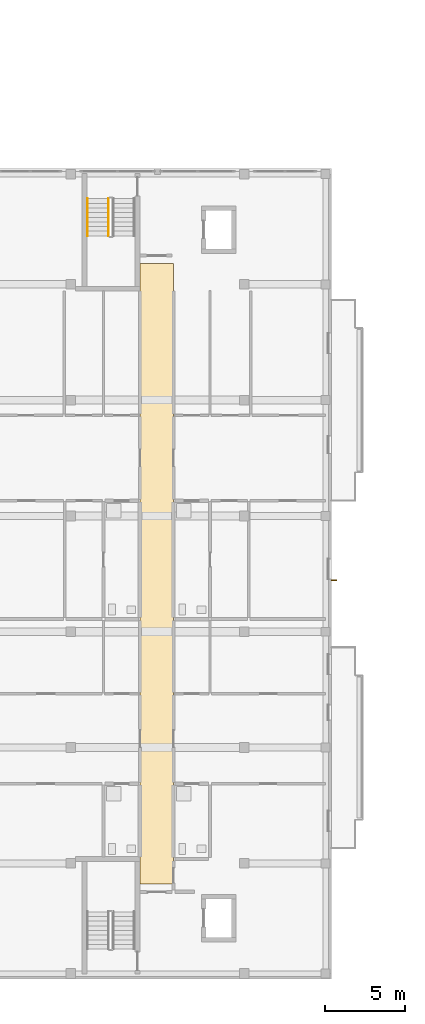
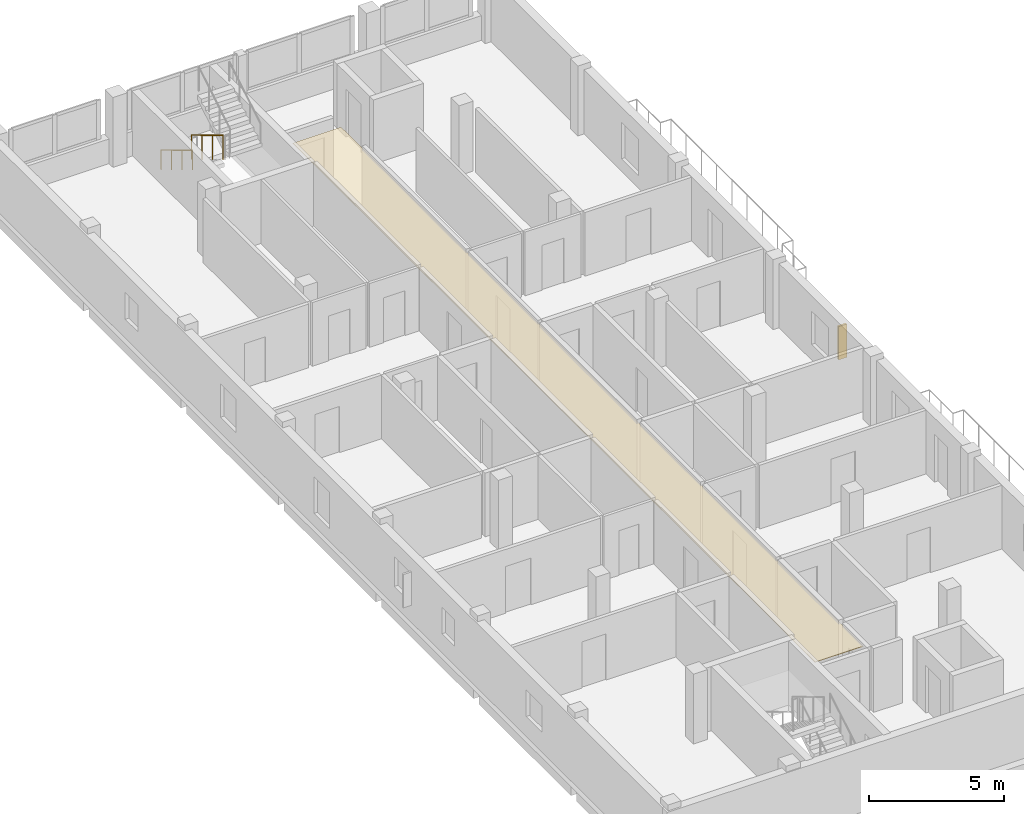
# One storey, part 30 of 41: 2 railings, 1 covering, 1 shading device.
"""IFC4 building model written with IfcOpenShell, lengths in metres."""

from ifc_helpers import new_model, si_unit, derived_unit, direction, frame, origin, origin_2d, place, context, subcontext, project, spatial, polyline, rectangle, circle, outline, extrude, material, layer, layer_set, type_object, element, save


model = new_model("IFC4")

# Units and contexts
model_context = context("Model", 3, precision=1e-05, world=origin(), true_north=direction((0.0, 1.0)))
body_context = subcontext(model_context, "Body", "Model", "MODEL_VIEW")
ifc_project = project(units=[si_unit("LENGTHUNIT", "METRE"), si_unit("AREAUNIT", "SQUARE_METRE"), si_unit("VOLUMEUNIT", "CUBIC_METRE"), si_unit("PLANEANGLEUNIT", "RADIAN"), si_unit("MASSUNIT", "GRAM", prefix="KILO"), derived_unit("THERMALTRANSMITTANCEUNIT", [(si_unit("MASSUNIT", "GRAM", prefix="KILO"), 1), (si_unit("TIMEUNIT", "SECOND"), -3), (si_unit("THERMODYNAMICTEMPERATUREUNIT", "KELVIN"), -1)])], contexts=[model_context])

# Site, building, storey
site_placement = place(None, origin())
site = spatial("IfcSite", under=ifc_project, at=site_placement, CompositionType="ELEMENT")
building_placement = place(site_placement, origin())
building = spatial("IfcBuilding", under=site, at=building_placement, Name="Ochrekiln Boulevard Commons", CompositionType="ELEMENT")
storey_placement = place(building_placement, frame((0.0, 0.0, 21.52490234375)))
storey = spatial("IfcBuildingStorey", under=building, at=storey_placement, Name="L06", CompositionType="ELEMENT", Elevation=21.52490234375)

# Covering
ifc_material_1 = material(Name="Mineral-fibre acoustic ceiling tile")
ifc_layer = layer(ifc_material_1, 0.02490234375)
ifc_layer_set = layer_set([ifc_layer], Name="Mineral-fibre acoustic ceiling tile")
covering_type = type_object("IfcCoveringType", Name="COV-CEIL-AC", PredefinedType="CEILING", material=ifc_layer_set)
covering_placement = place(storey_placement, frame((0.0, 0.0, 2.650146484375)))
element("IfcCovering", 1, at=covering_placement, inside=storey, type_object=covering_type, Name="L06 Acoustic Corridor Ceiling 54", PredefinedType="CEILING", context=body_context, shape_type="SweptSolid", body=[
    extrude(outline(polyline([(9.719970703125, 5.919921875), (11.780029296875, 5.919921875), (11.780029296875, 44.47998046875), (9.719970703125, 44.47998046875), (9.719970703125, 5.919921875)])), origin(), (0.0, 0.0, 1.0), 0.02490234375),
])

# Railings
ifc_material_2 = material(Name="Brushed stainless steel 316 tubular railing", Category="steel")
railing_type_1 = type_object("IfcRailingType", Name="RLG-HDR-900", PredefinedType="HANDRAIL", material=ifc_material_2)
railing_1_placement = place(storey_placement, frame((6.449951171875, 48.530029296875, 0.175048828125)))
element("IfcRailing", 2, at=railing_1_placement, inside=storey, type_object=railing_type_1, Name="L06 ST-D2 stair handrail 1", PredefinedType="HANDRAIL", context=body_context, shape_type="SweptSolid", body=[
    extrude(circle(Radius=0.02392578125, at=origin_2d()), frame((0.0, 0.0, 0.8759765625), z_axis=(0.0, -0.856170481923, 0.516693435108), x_axis=(1.0, 0.0, 0.0)), (0.0, 0.0, 1.0), 2.709716796875),
    extrude(circle(Radius=0.02099609375, at=origin_2d()), origin(), (0.0, 0.0, 1.0), 0.851806640625),
    extrude(circle(Radius=0.02099609375, at=origin_2d()), frame((0.0, -0.7734375, 0.466796875)), (0.0, 0.0, 1.0), 0.851806640625),
    extrude(circle(Radius=0.02099609375, at=origin_2d()), frame((0.0, -1.546630859375, 0.933349609375)), (0.0, 0.0, 1.0), 0.851806640625),
    extrude(circle(Radius=0.02099609375, at=origin_2d()), frame((0.0, -2.320068359375, 1.400146484375)), (0.0, 0.0, 1.0), 0.851806640625),
])
railing_type_2 = type_object("IfcRailingType", Name="RLG-STR-1120", PredefinedType="BALUSTRADE", material=ifc_material_2)
railing_2_placement = place(storey_placement, frame((7.75, 48.530029296875, 0.175048828125)))
element("IfcRailing", 3, at=railing_2_placement, inside=storey, type_object=railing_type_2, Name="L06 ST-D2 stair guard 1", PredefinedType="BALUSTRADE", context=body_context, shape_type="SweptSolid", body=[
    extrude(circle(Radius=0.02392578125, at=origin_2d()), frame((0.0, 0.0, 1.09619140625), z_axis=(0.0, -0.856170481923, 0.516693435108), x_axis=(1.0, 0.0, 0.0)), (0.0, 0.0, 1.0), 2.709716796875),
    extrude(circle(Radius=0.02099609375, at=origin_2d()), origin(), (0.0, 0.0, 1.0), 1.072021484375),
    extrude(circle(Radius=0.02099609375, at=origin_2d()), frame((0.0, -0.7734375, 0.466796875)), (0.0, 0.0, 1.0), 1.072021484375),
    extrude(circle(Radius=0.02099609375, at=origin_2d()), frame((0.0, -1.546630859375, 0.933349609375)), (0.0, 0.0, 1.0), 1.072021484375),
    extrude(circle(Radius=0.02099609375, at=origin_2d()), frame((0.0, -2.320068359375, 1.400146484375)), (0.0, 0.0, 1.0), 1.072021484375),
])

# Shading device
ifc_material_3 = material(Name="Glazed architectural terracotta ASTM C1405", Category="masonry")
shading_device_type = type_object("IfcShadingDeviceType", Name="SHD-FIN-TERRA", PredefinedType="JALOUSIE", material=ifc_material_3)
shading_device_placement = place(storey_placement, frame((21.77001953125, 24.797119140625, 0.705078125), z_axis=(0.0, 0.0, 1.0), x_axis=(1.0, 0.0, 0.0)))
element("IfcShadingDevice", 4, at=shading_device_placement, inside=storey, type_object=shading_device_type, Name="Terracotta Solar Shading Fin SF-01 (83)", PredefinedType="JALOUSIE", context=body_context, shape_type="SweptSolid", body=[
    extrude(rectangle(XDim=0.35009765625, YDim=0.080078125, at=origin_2d()), origin(), (0.0, 0.0, 1.0), 1.5),
])

save(model, "model.ifc")
